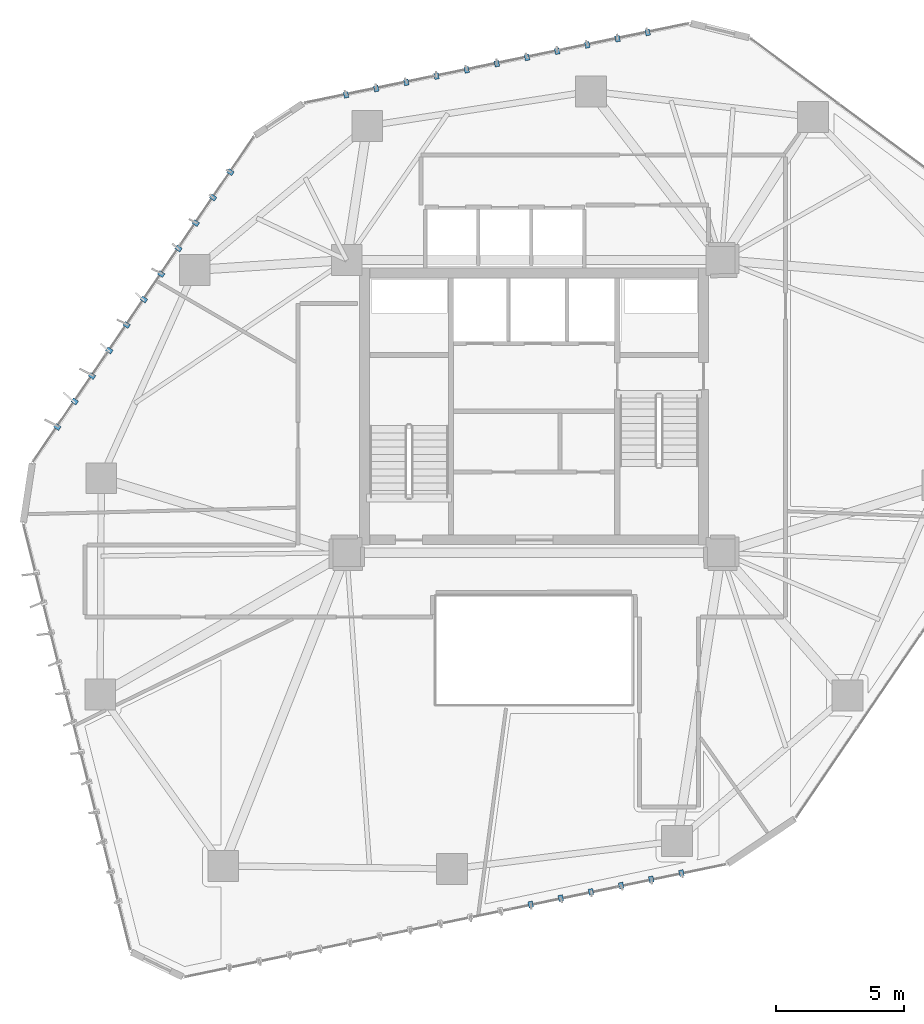
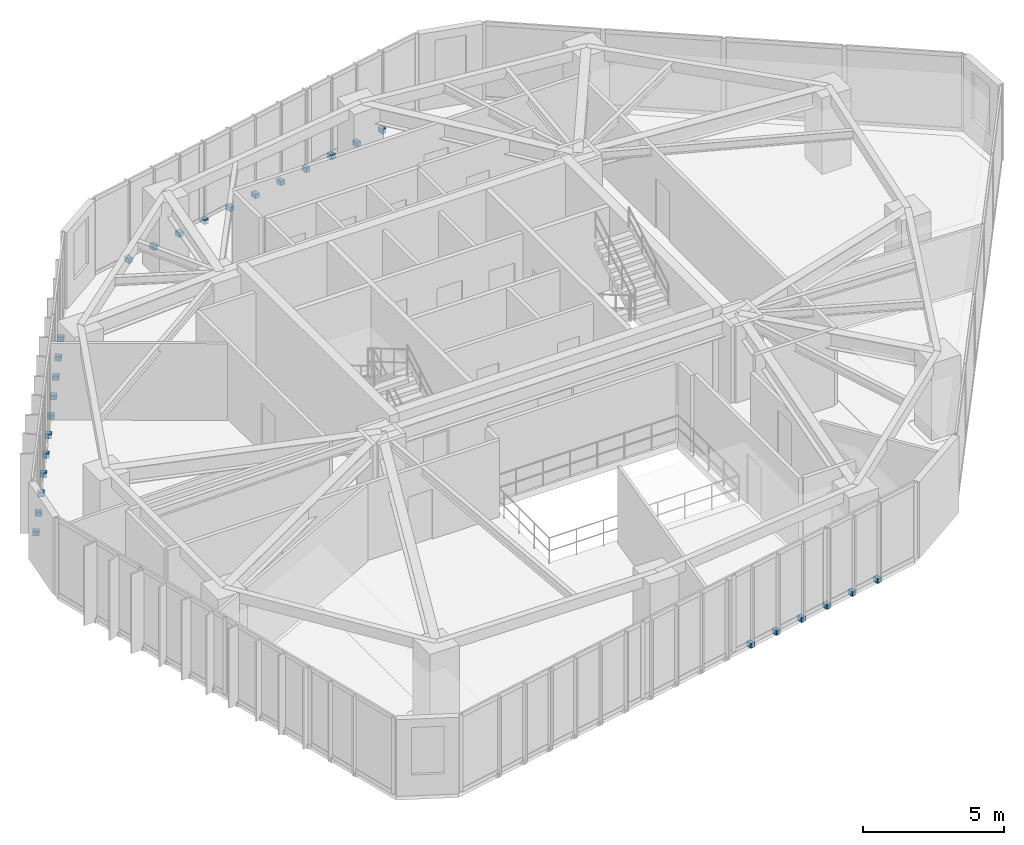
# One storey, part 19 of 22: 28 discrete accessories.
"""IFC4 building model written with IfcOpenShell, lengths in metres."""

from ifc_helpers import new_model, si_unit, direction, frame, origin, origin_2d, place, context, subcontext, project, spatial, rectangle, extrude, source, transform, mapped, material, type_object, type_shapes, element, save


model = new_model("IFC4")

# Units and contexts
model_context = context("Model", 3, precision=1e-05, world=origin(), true_north=direction((0.0, 1.0)))
body_context = subcontext(model_context, "Body", "Model", "MODEL_VIEW")
ifc_project = project(units=[si_unit("LENGTHUNIT", "METRE"), si_unit("AREAUNIT", "SQUARE_METRE"), si_unit("VOLUMEUNIT", "CUBIC_METRE"), si_unit("PLANEANGLEUNIT", "RADIAN"), si_unit("MASSUNIT", "GRAM", prefix="KILO")], contexts=[model_context])

# Site, building, storey
site_placement = place(None, origin())
site = spatial("IfcSite", under=ifc_project, at=site_placement, CompositionType="ELEMENT")
building_placement = place(site_placement, origin())
building = spatial("IfcBuilding", under=site, at=building_placement, Name="Talar Marvaseh", CompositionType="ELEMENT")
storey_placement = place(building_placement, frame((0.0, 0.0, 125.39990234375)))
storey = spatial("IfcBuildingStorey", under=building, at=storey_placement, Name="L32", CompositionType="ELEMENT", Elevation=125.39990234375)

# Discrete accessories
ifc_material = material(Name="Stainless Steel Grade 316", Category="steel")
discrete_accessory_type = type_object("IfcDiscreteAccessoryType", Name="Stainless Slab-Edge Fin Mounting Bracket", PredefinedType="BRACKET", material=ifc_material)
shared_shape = source(origin(), body_context, "Body", "SweptSolid", [
    extrude(rectangle(XDim=0.239990234375, YDim=0.179931640625, at=origin_2d()), origin(), (0.0, 0.0, 1.0), 0.199951171875),
])
type_shapes(discrete_accessory_type, [shared_shape])
for number, where, z_axis, x_axis, name in (
    (1, (7.429443359375, 30.400634765625, -0.1796875), (0.0, 0.0, 1.0), (-0.827276727994, 0.56179463803, 0.0), "L32 Vertical Fin Slab-Edge Bracket"),
    (2, (8.103759765625, 31.393310546875, -0.1796875), (0.0, 0.0, 1.0), (-0.827276727994, 0.56179463803, 0.0), "L32 Vertical Fin Slab-Edge Bracket"),
    (3, (8.77783203125, 32.385986328125, -0.1796875), (0.0, 0.0, 1.0), (-0.827276727994, 0.56179463803, 0.0), "L32 Vertical Fin Slab-Edge Bracket"),
    (4, (9.4521484375, 33.37890625, -0.1796875), (0.0, 0.0, 1.0), (-0.827276727994, 0.56179463803, 0.0), "L32 Vertical Fin Slab-Edge Bracket"),
    (5, (10.126220703125, 34.37158203125, -0.1796875), (0.0, 0.0, 1.0), (-0.827276727994, 0.56179463803, 0.0), "L32 Vertical Fin Slab-Edge Bracket"),
    (6, (10.800537109375, 35.3642578125, -0.1796875), (0.0, 0.0, 1.0), (-0.827276727994, 0.56179463803, 0.0), "L32 Vertical Fin Slab-Edge Bracket"),
    (7, (11.474609375, 36.35693359375, -0.1796875), (0.0, 0.0, 1.0), (-0.827276727994, 0.56179463803, 0.0), "L32 Vertical Fin Slab-Edge Bracket"),
    (8, (12.148681640625, 37.349609375, -0.1796875), (0.0, 0.0, 1.0), (-0.827276727994, 0.56179463803, 0.0), "L32 Vertical Fin Slab-Edge Bracket"),
    (9, (12.822998046875, 38.34228515625, -0.1796875), (0.0, 0.0, 1.0), (-0.827276727994, 0.56179463803, 0.0), "L32 Vertical Fin Slab-Edge Bracket"),
    (10, (13.497314453125, 39.3349609375, -0.1796875), (0.0, 0.0, 1.0), (-0.827276727994, 0.56179463803, 0.0), "L32 Vertical Fin Slab-Edge Bracket"),
    (11, (14.17138671875, 40.32763671875, -0.1796875), (0.0, 0.0, 1.0), (-0.827276727994, 0.56179463803, 0.0), "L32 Vertical Fin Slab-Edge Bracket"),
    (12, (18.67529296875, 43.337158203125, -0.1796875), (0.0, 0.0, 1.0), (-0.202445469766, 0.979293537082, 0.0), "L32 Vertical Fin Slab-Edge Bracket"),
    (13, (19.8505859375, 43.580078125, -0.1796875), (0.0, 0.0, 1.0), (-0.202445469766, 0.979293537082, 0.0), "L32 Vertical Fin Slab-Edge Bracket"),
    (14, (21.025634765625, 43.822998046875, -0.1796875), (0.0, 0.0, 1.0), (-0.202445469766, 0.979293537082, 0.0), "L32 Vertical Fin Slab-Edge Bracket"),
    (15, (22.20068359375, 44.066162109375, -0.1796875), (0.0, 0.0, 1.0), (-0.202445469766, 0.979293537082, 0.0), "L32 Vertical Fin Slab-Edge Bracket"),
    (16, (23.3759765625, 44.30908203125, -0.1796875), (0.0, 0.0, 1.0), (-0.202445469766, 0.979293537082, 0.0), "L32 Vertical Fin Slab-Edge Bracket"),
    (17, (24.551025390625, 44.552001953125, -0.1796875), (0.0, 0.0, 1.0), (-0.202445469766, 0.979293537082, 0.0), "L32 Vertical Fin Slab-Edge Bracket"),
    (18, (25.726318359375, 44.794921875, -0.1796875), (0.0, 0.0, 1.0), (-0.202445469766, 0.979293537082, 0.0), "L32 Vertical Fin Slab-Edge Bracket"),
    (19, (26.9013671875, 45.0380859375, -0.1796875), (0.0, 0.0, 1.0), (-0.202445469766, 0.979293537082, 0.0), "L32 Vertical Fin Slab-Edge Bracket"),
    (20, (28.076416015625, 45.281005859375, -0.1796875), (0.0, 0.0, 1.0), (-0.202445469766, 0.979293537082, 0.0), "L32 Vertical Fin Slab-Edge Bracket"),
    (21, (29.251708984375, 45.52392578125, -0.1796875), (0.0, 0.0, 1.0), (-0.202445469766, 0.979293537082, 0.0), "L32 Vertical Fin Slab-Edge Bracket"),
    (22, (30.4267578125, 45.766845703125, -0.1796875), (0.0, 0.0, 1.0), (-0.202445469766, 0.979293537082, 0.0), "L32 Vertical Fin Slab-Edge Bracket"),
    (23, (31.742919921875, 13.019775390625, -0.1796875), (0.0, 0.0, 1.0), (0.203812623708, -0.979009915383, 0.0), "L32 Vertical Fin Slab-Edge Bracket"),
    (24, (30.568115234375, 12.775390625, -0.1796875), (0.0, 0.0, 1.0), (0.203812623708, -0.979009915383, 0.0), "L32 Vertical Fin Slab-Edge Bracket"),
    (25, (29.39306640625, 12.53076171875, -0.1796875), (0.0, 0.0, 1.0), (0.203812623708, -0.979009915383, 0.0), "L32 Vertical Fin Slab-Edge Bracket"),
    (26, (28.21826171875, 12.2861328125, -0.1796875), (0.0, 0.0, 1.0), (0.203812623708, -0.979009915383, 0.0), "L32 Vertical Fin Slab-Edge Bracket"),
    (27, (27.04345703125, 12.04150390625, -0.1796875), (0.0, 0.0, 1.0), (0.203812623708, -0.979009915383, 0.0), "L32 Vertical Fin Slab-Edge Bracket"),
    (28, (25.86865234375, 11.797119140625, -0.1796875), (0.0, 0.0, 1.0), (0.203812623708, -0.979009915383, 0.0), "L32 Vertical Fin Slab-Edge Bracket"),
):
    element("IfcDiscreteAccessory", number, at=place(storey_placement, frame(where, z_axis=z_axis, x_axis=x_axis)), inside=storey, type_object=discrete_accessory_type, Name=name, PredefinedType="BRACKET", context=body_context, shape_type="MappedRepresentation", body=[
        mapped(shared_shape, transform((0.0, 0.0, 0.0), x_axis=(1.0, 0.0, 0.0), y_axis=(0.0, 1.0, 0.0), z_axis=(0.0, 0.0, 1.0), scale=1.0)),
    ])

save(model, "model.ifc")
